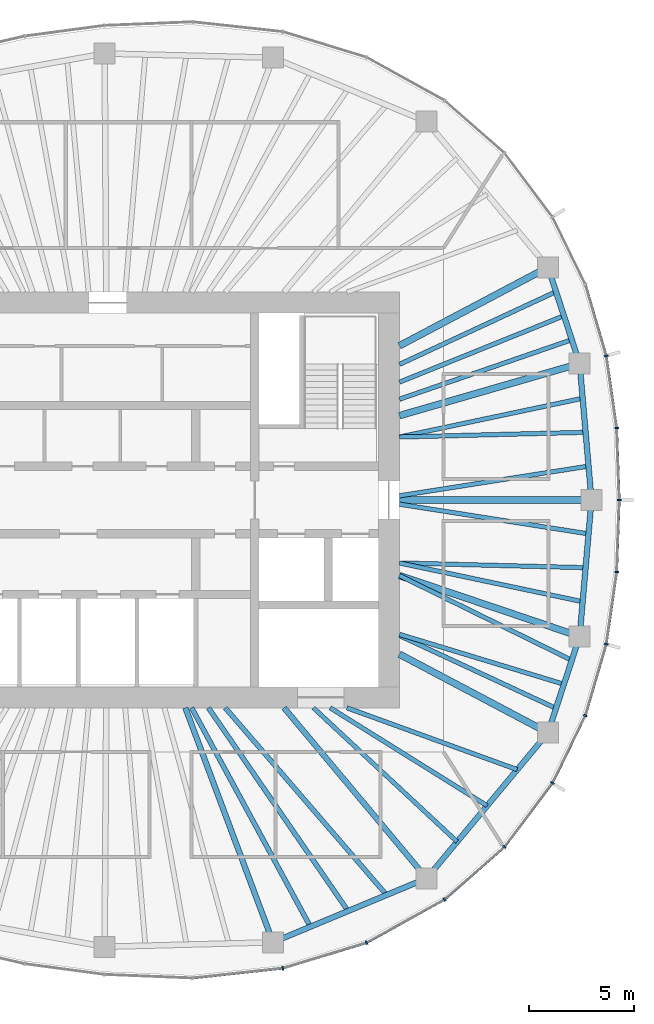
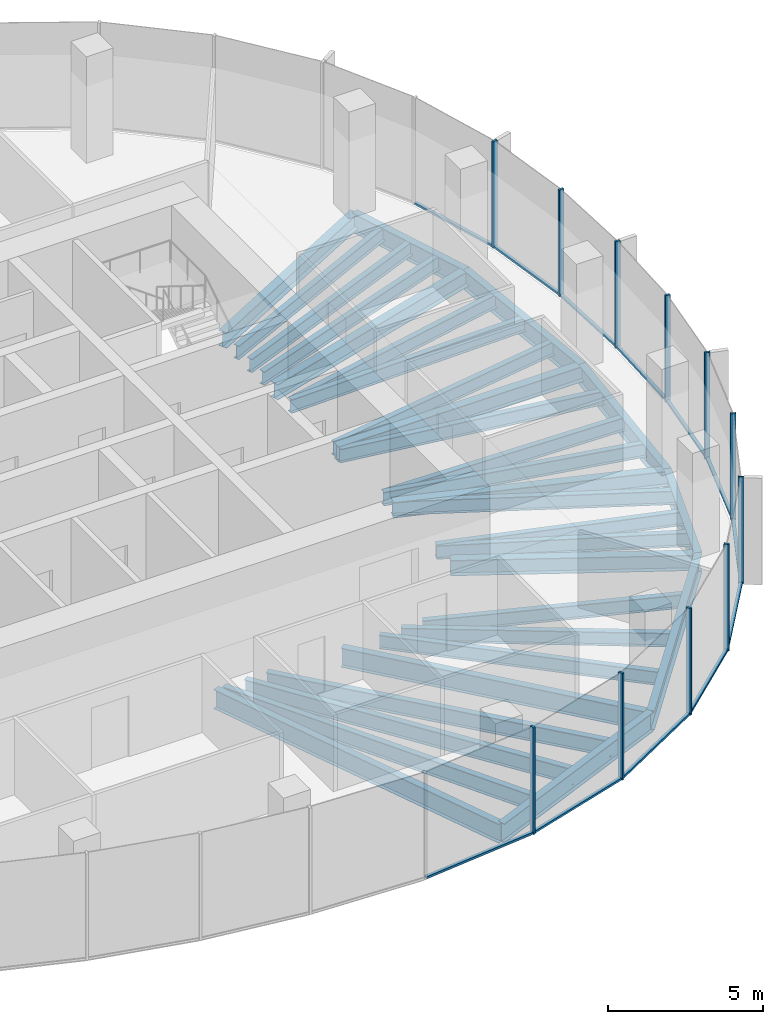
# One storey, part 4 of 11: 31 beams, 23 members, 7 elements without a shape of their own.
"""IFC4 building model written with IfcOpenShell, lengths in metres."""

from ifc_helpers import new_model, si_unit, direction, frame, origin, origin_2d, place, context, subcontext, project, spatial, rectangle, i_section, extrude, material, material_profile, profile_set, type_object, element, aggregate, save


model = new_model("IFC4")

# Units and contexts
model_context = context("Model", 3, precision=1e-05, world=origin(), true_north=direction((0.0, 1.0)))
body_context = subcontext(model_context, "Body", "Model", "MODEL_VIEW")
ifc_project = project(units=[si_unit("LENGTHUNIT", "METRE"), si_unit("AREAUNIT", "SQUARE_METRE"), si_unit("VOLUMEUNIT", "CUBIC_METRE"), si_unit("PLANEANGLEUNIT", "RADIAN"), si_unit("MASSUNIT", "GRAM", prefix="KILO")], contexts=[model_context])

# Site, building, storey
site_placement = place(None, origin())
site = spatial("IfcSite", under=ifc_project, at=site_placement, CompositionType="ELEMENT")
building_placement = place(site_placement, origin())
building = spatial("IfcBuilding", under=site, at=building_placement, Name="Ghaith Harvest Tower", CompositionType="ELEMENT")
storey_placement = place(building_placement, frame((0.0, 0.0, 321.60009765625)))
storey = spatial("IfcBuildingStorey", under=building, at=storey_placement, Name="L72", CompositionType="ELEMENT", Elevation=321.60009765625)

# Curtain wall, members
ifc_material_1 = material(Name="Black anodised aluminium and fritted glass", Category="aluminium")
curtain_wall_type = type_object("IfcCurtainWallType", Name="CW-T CURTAIN WALL", PredefinedType="NOTDEFINED", material=ifc_material_1)
curtain_wall_1_placement = place(storey_placement, origin())
curtain_wall_1 = element("IfcCurtainWall", 1, at=curtain_wall_1_placement, inside=storey, type_object=curtain_wall_type, Name="Curtain wall CW-T bay 01 L72", PredefinedType="NOTDEFINED")
ifc_material_2 = material(Name="Aluminium, black anodised", Category="aluminium")
ifc_material_profile_1 = material_profile(ifc_material_2, rectangle(XDim=0.080078125, YDim=0.179931640625, at=origin_2d()), Name="CW-T MULLION 80x180")
ifc_profile_set_1 = profile_set([ifc_material_profile_1], Name="Aluminium, black anodised")
member_type_1 = type_object("IfcMemberType", Name="CW-T MULLION 80x180", PredefinedType="MULLION", material=ifc_profile_set_1)
member_1_placement = place(storey_placement, frame((24.3701171875, 0.0, 0.0), z_axis=(0.0, 0.0, 1.0), x_axis=(5.2e-11, 1.0, 0.0)))
member_1 = element("IfcMember", 2, at=member_1_placement, type_object=member_type_1, Name="CW-T mullion 1 bay 01 L72", PredefinedType="MULLION", context=body_context, shape_type="SweptSolid", body=[
    extrude(rectangle(XDim=0.080078125, YDim=0.179931640625, at=origin_2d()), origin(), (0.0, 0.0, 1.0), 4.199951171875),
])
member_2_placement = place(storey_placement, frame((24.247802734375, 3.433837890625, 0.0), z_axis=(0.0, 0.0, 1.0), x_axis=(-0.089502202236, 0.995986624305, 0.0)))
member_2 = element("IfcMember", 3, at=member_2_placement, type_object=member_type_1, Name="CW-T mullion 2 bay 01 L72", PredefinedType="MULLION", context=body_context, shape_type="SweptSolid", body=[
    extrude(rectangle(XDim=0.080078125, YDim=0.179931640625, at=origin_2d()), origin(), (0.0, 0.0, 1.0), 4.199951171875),
])

# Curtain wall, member
curtain_wall_2_placement = place(storey_placement, origin())
curtain_wall_2 = element("IfcCurtainWall", 4, at=curtain_wall_2_placement, inside=storey, type_object=curtain_wall_type, Name="Curtain wall CW-T bay 02 L72", PredefinedType="NOTDEFINED")
member_3_placement = place(storey_placement, frame((23.753173828125, 6.865234375, 0.0), z_axis=(0.0, 0.0, 1.0), x_axis=(-0.21340203233, 0.976964468442, 0.0)))
member_3 = element("IfcMember", 5, at=member_3_placement, type_object=member_type_1, Name="CW-T mullion 1 bay 02 L72", PredefinedType="MULLION", context=body_context, shape_type="SweptSolid", body=[
    extrude(rectangle(XDim=0.080078125, YDim=0.179931640625, at=origin_2d()), origin(), (0.0, 0.0, 1.0), 4.199951171875),
])

# Curtain wall, members
curtain_wall_3_placement = place(storey_placement, origin())
curtain_wall_3 = element("IfcCurtainWall", 6, at=curtain_wall_3_placement, inside=storey, type_object=curtain_wall_type, Name="Curtain wall CW-T bay 17 L72", PredefinedType="NOTDEFINED")
member_4_placement = place(storey_placement, frame((8.33984375, -22.308837890625, 0.0), z_axis=(0.0, 0.0, 1.0), x_axis=(0.980000193265, 0.198996535647, 0.0)))
member_4 = element("IfcMember", 7, at=member_4_placement, type_object=member_type_1, Name="CW-T mullion 1 bay 17 L72", PredefinedType="MULLION", context=body_context, shape_type="SweptSolid", body=[
    extrude(rectangle(XDim=0.080078125, YDim=0.179931640625, at=origin_2d()), origin(), (0.0, 0.0, 1.0), 4.199951171875),
])
member_5_placement = place(storey_placement, frame((12.334228515625, -21.091796875, 0.0), z_axis=(0.0, 0.0, 1.0), x_axis=(0.920319269335, 0.391168048914, 0.0)))
member_5 = element("IfcMember", 8, at=member_5_placement, type_object=member_type_1, Name="CW-T mullion 2 bay 17 L72", PredefinedType="MULLION", context=body_context, shape_type="SweptSolid", body=[
    extrude(rectangle(XDim=0.080078125, YDim=0.179931640625, at=origin_2d()), origin(), (0.0, 0.0, 1.0), 4.199951171875),
])

curtain_wall_4_placement = place(storey_placement, origin())
curtain_wall_4 = element("IfcCurtainWall", 9, at=curtain_wall_4_placement, inside=storey, type_object=curtain_wall_type, Name="Curtain wall CW-T bay 18 L72", PredefinedType="NOTDEFINED")
member_6_placement = place(storey_placement, frame((16.04931640625, -19.031982421875, 0.0), z_axis=(0.0, 0.0, 1.0), x_axis=(0.821112053644, 0.570767023715, 0.0)))
member_6 = element("IfcMember", 10, at=member_6_placement, type_object=member_type_1, Name="CW-T mullion 1 bay 18 L72", PredefinedType="MULLION", context=body_context, shape_type="SweptSolid", body=[
    extrude(rectangle(XDim=0.080078125, YDim=0.179931640625, at=origin_2d()), origin(), (0.0, 0.0, 1.0), 4.199951171875),
])
member_7_placement = place(storey_placement, frame((18.901123046875, -16.527099609375, 0.0), z_axis=(0.0, 0.0, 1.0), x_axis=(0.679660897254, 0.733526458108, 0.0)))
member_7 = element("IfcMember", 11, at=member_7_placement, type_object=member_type_1, Name="CW-T mullion 2 bay 18 L72", PredefinedType="MULLION", context=body_context, shape_type="SweptSolid", body=[
    extrude(rectangle(XDim=0.080078125, YDim=0.179931640625, at=origin_2d()), origin(), (0.0, 0.0, 1.0), 4.199951171875),
])

curtain_wall_5_placement = place(storey_placement, origin())
curtain_wall_5 = element("IfcCurtainWall", 12, at=curtain_wall_5_placement, inside=storey, type_object=curtain_wall_type, Name="Curtain wall CW-T bay 19 L72", PredefinedType="NOTDEFINED")
member_8_placement = place(storey_placement, frame((21.18896484375, -13.48486328125, 0.0), z_axis=(0.0, 0.0, 1.0), x_axis=(0.524482238715, 0.85142138878, 0.0)))
member_8 = element("IfcMember", 13, at=member_8_placement, type_object=member_type_1, Name="CW-T mullion 1 bay 19 L72", PredefinedType="MULLION", context=body_context, shape_type="SweptSolid", body=[
    extrude(rectangle(XDim=0.080078125, YDim=0.179931640625, at=origin_2d()), origin(), (0.0, 0.0, 1.0), 4.199951171875),
])
member_9_placement = place(storey_placement, frame((22.754150390625, -10.272216796875, 0.0), z_axis=(0.0, 0.0, 1.0), x_axis=(0.361184273904, 0.932494461262, 0.0)))
member_9 = element("IfcMember", 14, at=member_9_placement, type_object=member_type_1, Name="CW-T mullion 2 bay 19 L72", PredefinedType="MULLION", context=body_context, shape_type="SweptSolid", body=[
    extrude(rectangle(XDim=0.080078125, YDim=0.179931640625, at=origin_2d()), origin(), (0.0, 0.0, 1.0), 4.199951171875),
])

curtain_wall_6_placement = place(storey_placement, origin())
curtain_wall_6 = element("IfcCurtainWall", 15, at=curtain_wall_6_placement, inside=storey, type_object=curtain_wall_type, Name="Curtain wall CW-T bay 20 L72", PredefinedType="NOTDEFINED")
member_10_placement = place(storey_placement, frame((23.753173828125, -6.865234375, 0.0), z_axis=(0.0, 0.0, 1.0), x_axis=(0.213402032501, 0.976964468404, 0.0)))
member_10 = element("IfcMember", 16, at=member_10_placement, type_object=member_type_1, Name="CW-T mullion 1 bay 20 L72", PredefinedType="MULLION", context=body_context, shape_type="SweptSolid", body=[
    extrude(rectangle(XDim=0.080078125, YDim=0.179931640625, at=origin_2d()), origin(), (0.0, 0.0, 1.0), 4.199951171875),
])
member_11_placement = place(storey_placement, frame((24.247802734375, -3.433837890625, 0.0), z_axis=(0.0, 0.0, 1.0), x_axis=(0.089502202305, 0.995986624299, 0.0)))
member_11 = element("IfcMember", 17, at=member_11_placement, type_object=member_type_1, Name="CW-T mullion 2 bay 20 L72", PredefinedType="MULLION", context=body_context, shape_type="SweptSolid", body=[
    extrude(rectangle(XDim=0.080078125, YDim=0.179931640625, at=origin_2d()), origin(), (0.0, 0.0, 1.0), 4.199951171875),
])

# Member
ifc_material_3 = material(Name="Aluminium, black anodised", Category="aluminium")
ifc_material_profile_2 = material_profile(ifc_material_3, rectangle(XDim=0.1201171875, YDim=0.080078125, at=origin_2d()), Name="CW-T TRANSOM 120x80")
ifc_profile_set_2 = profile_set([ifc_material_profile_2], Name="Aluminium, black anodised")
member_type_2 = type_object("IfcMemberType", Name="CW-T TRANSOM 120x80", PredefinedType="USERDEFINED", material=ifc_profile_set_2)
member_12_placement = place(storey_placement, frame((24.36865234375, 0.0400390625, 0.039794921875), z_axis=(-0.035574759537, 0.999367017909, 0.0), x_axis=(-0.999367017909, -0.035574759537, 0.0)))
member_12 = element("IfcMember", 18, at=member_12_placement, type_object=member_type_2, Name="CW-T transom 1 bay 01 L72", ObjectType="TRANSOM", PredefinedType="USERDEFINED", context=body_context, shape_type="SweptSolid", body=[
    extrude(rectangle(XDim=0.1201171875, YDim=0.080078125, at=origin_2d()), origin(), (0.0, 0.0, 1.0), 3.35595703125),
])

member_13_placement = place(storey_placement, frame((24.2421875, 3.473388671875, 0.039794921875), z_axis=(-0.142733224301, 0.989761196795, 0.0), x_axis=(-0.989761196795, -0.142733224301, 0.0)))
member_13 = element("IfcMember", 19, at=member_13_placement, type_object=member_type_2, Name="CW-T transom 2 bay 01 L72", ObjectType="TRANSOM", PredefinedType="USERDEFINED", context=body_context, shape_type="SweptSolid", body=[
    extrude(rectangle(XDim=0.1201171875, YDim=0.080078125, at=origin_2d()), origin(), (0.0, 0.0, 1.0), 3.38671875),
])

aggregate(curtain_wall_1, [member_1, member_12, member_2, member_13])

member_14_placement = place(storey_placement, frame((23.741943359375, 6.903564453125, 0.039794921875), z_axis=(-0.281385475469, 0.95959481772, 0.0), x_axis=(-0.95959481772, -0.281385475469, 0.0)))
member_14 = element("IfcMember", 20, at=member_14_placement, type_object=member_type_2, Name="CW-T transom 1 bay 02 L72", ObjectType="TRANSOM", PredefinedType="USERDEFINED", context=body_context, shape_type="SweptSolid", body=[
    extrude(rectangle(XDim=0.1201171875, YDim=0.080078125, at=origin_2d()), origin(), (0.0, 0.0, 1.0), 3.470458984375),
])

aggregate(curtain_wall_2, [member_3, member_14])

# Curtain wall, member
curtain_wall_7_placement = place(storey_placement, origin())
curtain_wall_7 = element("IfcCurtainWall", 21, at=curtain_wall_7_placement, inside=storey, type_object=curtain_wall_type, Name="Curtain wall CW-T bay 16 L72", PredefinedType="NOTDEFINED")
member_15_placement = place(storey_placement, frame((4.077392578125, -22.772216796875, 0.039794921875), z_axis=(0.994144463069, 0.108059180768, 0.0), x_axis=(-0.108059180768, 0.994144463069, 0.0)))
member_15 = element("IfcMember", 22, at=member_15_placement, type_object=member_type_2, Name="CW-T transom 2 bay 16 L72", ObjectType="TRANSOM", PredefinedType="USERDEFINED", context=body_context, shape_type="SweptSolid", body=[
    extrude(rectangle(XDim=0.1201171875, YDim=0.080078125, at=origin_2d()), origin(), (0.0, 0.0, 1.0), 4.24755859375),
])
aggregate(curtain_wall_7, [member_15])

# Member
member_16_placement = place(storey_placement, frame((8.378173828125, -22.297119140625, 0.039794921875), z_axis=(0.956593713342, 0.291424891858, 0.0), x_axis=(-0.291424891858, 0.956593713342, 0.0)))
member_16 = element("IfcMember", 23, at=member_16_placement, type_object=member_type_2, Name="CW-T transom 1 bay 17 L72", ObjectType="TRANSOM", PredefinedType="USERDEFINED", context=body_context, shape_type="SweptSolid", body=[
    extrude(rectangle(XDim=0.1201171875, YDim=0.080078125, at=origin_2d()), origin(), (0.0, 0.0, 1.0), 4.095703125),
])

member_17_placement = place(storey_placement, frame((12.369384765625, -21.072509765625, 0.039794921875), z_axis=(0.874552130553, 0.484931511603, 0.0), x_axis=(-0.484931511603, 0.874552130553, 0.0)))
member_17 = element("IfcMember", 24, at=member_17_placement, type_object=member_type_2, Name="CW-T transom 2 bay 17 L72", ObjectType="TRANSOM", PredefinedType="USERDEFINED", context=body_context, shape_type="SweptSolid", body=[
    extrude(rectangle(XDim=0.1201171875, YDim=0.080078125, at=origin_2d()), origin(), (0.0, 0.0, 1.0), 4.16748046875),
])

aggregate(curtain_wall_3, [member_4, member_16, member_5, member_17])

member_18_placement = place(storey_placement, frame((16.079345703125, -19.005615234375, 0.039794921875), z_axis=(0.751325799984, 0.659931467865, 0.0), x_axis=(-0.659931467865, 0.751325799984, 0.0)))
member_18 = element("IfcMember", 25, at=member_18_placement, type_object=member_type_2, Name="CW-T transom 1 bay 18 L72", ObjectType="TRANSOM", PredefinedType="USERDEFINED", context=body_context, shape_type="SweptSolid", body=[
    extrude(rectangle(XDim=0.1201171875, YDim=0.080078125, at=origin_2d()), origin(), (0.0, 0.0, 1.0), 3.7158203125),
])

member_19_placement = place(storey_placement, frame((18.925048828125, -16.4951171875, 0.039794921875), z_axis=(0.601079103045, 0.799189534392, 0.0), x_axis=(-0.799189534392, 0.601079103045, 0.0)))
member_19 = element("IfcMember", 26, at=member_19_placement, type_object=member_type_2, Name="CW-T transom 2 bay 18 L72", ObjectType="TRANSOM", PredefinedType="USERDEFINED", context=body_context, shape_type="SweptSolid", body=[
    extrude(rectangle(XDim=0.1201171875, YDim=0.080078125, at=origin_2d()), origin(), (0.0, 0.0, 1.0), 3.7265625),
])

aggregate(curtain_wall_4, [member_6, member_18, member_7, member_19])

member_20_placement = place(storey_placement, frame((21.20654296875, -13.448974609375, 0.039794921875), z_axis=(0.437965078712, 0.898991985408, 0.0), x_axis=(-0.898991985408, 0.437965078712, 0.0)))
member_20 = element("IfcMember", 27, at=member_20_placement, type_object=member_type_2, Name="CW-T transom 1 bay 19 L72", ObjectType="TRANSOM", PredefinedType="USERDEFINED", context=body_context, shape_type="SweptSolid", body=[
    extrude(rectangle(XDim=0.1201171875, YDim=0.080078125, at=origin_2d()), origin(), (0.0, 0.0, 1.0), 3.493408203125),
])

member_21_placement = place(storey_placement, frame((22.765380859375, -10.23388671875, 0.039794921875), z_axis=(0.281385475469, 0.95959481772, 0.0), x_axis=(-0.95959481772, 0.281385475469, 0.0)))
member_21 = element("IfcMember", 28, at=member_21_placement, type_object=member_type_2, Name="CW-T transom 2 bay 19 L72", ObjectType="TRANSOM", PredefinedType="USERDEFINED", context=body_context, shape_type="SweptSolid", body=[
    extrude(rectangle(XDim=0.1201171875, YDim=0.080078125, at=origin_2d()), origin(), (0.0, 0.0, 1.0), 3.470458984375),
])

aggregate(curtain_wall_5, [member_8, member_20, member_9, member_21])

member_22_placement = place(storey_placement, frame((23.7587890625, -6.825439453125, 0.039794921875), z_axis=(0.142733224301, 0.989761196795, 0.0), x_axis=(-0.989761196795, 0.142733224301, 0.0)))
member_22 = element("IfcMember", 29, at=member_22_placement, type_object=member_type_2, Name="CW-T transom 1 bay 20 L72", ObjectType="TRANSOM", PredefinedType="USERDEFINED", context=body_context, shape_type="SweptSolid", body=[
    extrude(rectangle(XDim=0.1201171875, YDim=0.080078125, at=origin_2d()), origin(), (0.0, 0.0, 1.0), 3.38671875),
])

member_23_placement = place(storey_placement, frame((24.249267578125, -3.393798828125, 0.039794921875), z_axis=(0.035574759537, 0.999367017909, 0.0), x_axis=(-0.999367017909, 0.035574759537, 0.0)))
member_23 = element("IfcMember", 30, at=member_23_placement, type_object=member_type_2, Name="CW-T transom 2 bay 20 L72", ObjectType="TRANSOM", PredefinedType="USERDEFINED", context=body_context, shape_type="SweptSolid", body=[
    extrude(rectangle(XDim=0.1201171875, YDim=0.080078125, at=origin_2d()), origin(), (0.0, 0.0, 1.0), 3.35595703125),
])

aggregate(curtain_wall_6, [member_10, member_22, member_11, member_23])

# Beams
ifc_material_4 = material(Name="Steel ASTM A992 Grade 50", Category="steel")
ifc_material_profile_3 = material_profile(ifc_material_4, i_section(OverallWidth=0.26611328125, OverallDepth=0.758056640625, WebThickness=0.013916015625, FlangeThickness=0.019287109375, at=origin_2d()), Name="W760X161")
ifc_profile_set_3 = profile_set([ifc_material_profile_3], Name="Steel ASTM A992 Grade 50")
beam_type_1 = type_object("IfcBeamType", Name="E760-161 W760X161", PredefinedType="SPANDREL", material=ifc_profile_set_3)
beam_1_placement = place(storey_placement, frame((23.050048828125, 0.0, -0.549072265625), z_axis=(-0.086600547306, 0.996243115513, 0.0), x_axis=(-0.996243115513, -0.086600547306, 0.0)))
element("IfcBeam", 31, at=beam_1_placement, inside=storey, type_object=beam_type_1, Name="Edge beam E01 L72", PredefinedType="SPANDREL", context=body_context, shape_type="SweptSolid", body=[
    extrude(i_section(OverallWidth=0.26611328125, OverallDepth=0.758056640625, WebThickness=0.013916015625, FlangeThickness=0.019287109375, at=origin_2d()), origin(), (0.0, 0.0, 1.0), 6.5234375),
])
beam_2_placement = place(storey_placement, frame((22.485107421875, 6.4990234375, -0.549072265625), z_axis=(-0.312206727278, 0.950014189074, 0.0), x_axis=(-0.950014189074, -0.312206727278, 0.0)))
element("IfcBeam", 32, at=beam_2_placement, inside=storey, type_object=beam_type_1, Name="Edge beam E02 L72", PredefinedType="SPANDREL", context=body_context, shape_type="SweptSolid", body=[
    extrude(i_section(OverallWidth=0.26611328125, OverallDepth=0.758056640625, WebThickness=0.013916015625, FlangeThickness=0.019287109375, at=origin_2d()), origin(), (0.0, 0.0, 1.0), 4.830322265625),
])
beam_3_placement = place(storey_placement, frame((7.8779296875, -21.072021484375, -0.549072265625), z_axis=(0.923119729219, 0.384512633766, 0.0), x_axis=(-0.384512633766, 0.923119729219, 0.0)))
element("IfcBeam", 33, at=beam_3_placement, inside=storey, type_object=beam_type_1, Name="Edge beam E17 L72", PredefinedType="SPANDREL", context=body_context, shape_type="SweptSolid", body=[
    extrude(i_section(OverallWidth=0.26611328125, OverallDepth=0.758056640625, WebThickness=0.013916015625, FlangeThickness=0.019287109375, at=origin_2d()), origin(), (0.0, 0.0, 1.0), 7.9296875),
])
beam_4_placement = place(storey_placement, frame((15.197998046875, -18.02294921875, -0.549072265625), z_axis=(0.640173759088, 0.76823014662, 0.0), x_axis=(-0.76823014662, 0.640173759088, 0.0)))
element("IfcBeam", 34, at=beam_4_placement, inside=storey, type_object=beam_type_1, Name="Edge beam E18 L72", PredefinedType="SPANDREL", context=body_context, shape_type="SweptSolid", body=[
    extrude(i_section(OverallWidth=0.26611328125, OverallDepth=0.758056640625, WebThickness=0.013916015625, FlangeThickness=0.019287109375, at=origin_2d()), origin(), (0.0, 0.0, 1.0), 9.02734375),
])
beam_5_placement = place(storey_placement, frame((20.97705078125, -11.087890625, -0.549072265625), z_axis=(0.312206727278, 0.950014189074, 0.0), x_axis=(-0.950014189074, 0.312206727278, 0.0)))
element("IfcBeam", 35, at=beam_5_placement, inside=storey, type_object=beam_type_1, Name="Edge beam E19 L72", PredefinedType="SPANDREL", context=body_context, shape_type="SweptSolid", body=[
    extrude(i_section(OverallWidth=0.26611328125, OverallDepth=0.758056640625, WebThickness=0.013916015625, FlangeThickness=0.019287109375, at=origin_2d()), origin(), (0.0, 0.0, 1.0), 4.830322265625),
])
beam_6_placement = place(storey_placement, frame((22.485107421875, -6.4990234375, -0.549072265625), z_axis=(0.086600547306, 0.996243115513, 0.0), x_axis=(-0.996243115513, 0.086600547306, 0.0)))
element("IfcBeam", 36, at=beam_6_placement, inside=storey, type_object=beam_type_1, Name="Edge beam E20 L72", PredefinedType="SPANDREL", context=body_context, shape_type="SweptSolid", body=[
    extrude(i_section(OverallWidth=0.26611328125, OverallDepth=0.758056640625, WebThickness=0.013916015625, FlangeThickness=0.019287109375, at=origin_2d()), origin(), (0.0, 0.0, 1.0), 6.5234375),
])
ifc_material_5 = material(Name="Steel ASTM A992 Grade 50", Category="steel")
ifc_material_profile_4 = material_profile(ifc_material_5, i_section(OverallWidth=0.323974609375, OverallDepth=0.611083984375, WebThickness=0.0126953125, FlangeThickness=0.01904296875, at=origin_2d()), Name="W610X155")
ifc_profile_set_4 = profile_set([ifc_material_profile_4], Name="Steel ASTM A992 Grade 50")
beam_type_2 = type_object("IfcBeamType", Name="G610-155 W610X155", PredefinedType="BEAM", material=ifc_profile_set_4)
beam_7_placement = place(storey_placement, frame((13.89990234375, 0.0, -0.4755859375), z_axis=(1.0, 0.0, 0.0), x_axis=(0.0, 1.0, 0.0)))
element("IfcBeam", 37, at=beam_7_placement, inside=storey, type_object=beam_type_2, Name="Radial girder G01 L72", PredefinedType="BEAM", context=body_context, shape_type="SweptSolid", body=[
    extrude(i_section(OverallWidth=0.323974609375, OverallDepth=0.611083984375, WebThickness=0.0126953125, FlangeThickness=0.01904296875, at=origin_2d()), origin(), (0.0, 0.0, 1.0), 9.150146484375),
])
beam_8_placement = place(storey_placement, frame((13.89990234375, 4.017333984375, -0.4755859375), z_axis=(0.960668846071, 0.27769653975, 0.0), x_axis=(-0.27769653975, 0.960668846071, 0.0)))
element("IfcBeam", 38, at=beam_8_placement, inside=storey, type_object=beam_type_2, Name="Radial girder G02 L72", PredefinedType="BEAM", context=body_context, shape_type="SweptSolid", body=[
    extrude(i_section(OverallWidth=0.323974609375, OverallDepth=0.611083984375, WebThickness=0.0126953125, FlangeThickness=0.01904296875, at=origin_2d()), origin(), (0.0, 0.0, 1.0), 8.936767578125),
])
for number, where, z_axis, x_axis, name in (
    (39, (13.89990234375, 7.34716796875, -0.4755859375), (0.884097820364, 0.467301876764, 0.0), (-0.467301876764, 0.884097820364, 0.0), "Radial girder G03 L72"),
    (40, (13.89990234375, -7.34716796875, -0.4755859375), (0.884097820364, -0.467301876764, 0.0), (0.467301876764, 0.884097820364, 0.0), "Radial girder G19 L72"),
):
    element("IfcBeam", number, at=place(storey_placement, frame(where, z_axis=z_axis, x_axis=x_axis)), inside=storey, type_object=beam_type_2, Name=name, PredefinedType="BEAM", context=body_context, shape_type="SweptSolid", body=[
        extrude(i_section(OverallWidth=0.323974609375, OverallDepth=0.611083984375, WebThickness=0.0126953125, FlangeThickness=0.01904296875, at=origin_2d()), origin(), (0.0, 0.0, 1.0), 8.0048828125),
    ])
beam_9_placement = place(storey_placement, frame((13.89990234375, -3.60009765625, -0.4755859375), z_axis=(0.947444819082, -0.319919231673, 0.0), x_axis=(0.319919231673, 0.947444819082, 0.0)))
element("IfcBeam", 41, at=beam_9_placement, inside=storey, type_object=beam_type_2, Name="Radial girder G20 L72", PredefinedType="BEAM", context=body_context, shape_type="SweptSolid", body=[
    extrude(i_section(OverallWidth=0.323974609375, OverallDepth=0.611083984375, WebThickness=0.0126953125, FlangeThickness=0.01904296875, at=origin_2d()), origin(), (0.0, 0.0, 1.0), 9.0615234375),
])
ifc_material_6 = material(Name="Steel ASTM A992 Grade 50", Category="steel")
ifc_material_profile_5 = material_profile(ifc_material_6, i_section(OverallWidth=0.26611328125, OverallDepth=0.758056640625, WebThickness=0.013916015625, FlangeThickness=0.019287109375, at=origin_2d()), Name="W760X161")
ifc_profile_set_5 = profile_set([ifc_material_profile_5], Name="Steel ASTM A992 Grade 50")
beam_type_3 = type_object("IfcBeamType", Name="G760-161 W760X161", PredefinedType="BEAM", material=ifc_profile_set_5)
beam_10_placement = place(storey_placement, frame((3.700927734375, -9.89990234375, -0.549072265625), z_axis=(0.350201332531, -0.936674450753, 0.0), x_axis=(0.936674450753, 0.350201332531, 0.0)))
element("IfcBeam", 42, at=beam_10_placement, inside=storey, type_object=beam_type_3, Name="Radial girder G17 L72", PredefinedType="BEAM", context=body_context, shape_type="SweptSolid", body=[
    extrude(i_section(OverallWidth=0.26611328125, OverallDepth=0.758056640625, WebThickness=0.013916015625, FlangeThickness=0.019287109375, at=origin_2d()), origin(), (0.0, 0.0, 1.0), 11.927490234375),
])
beam_11_placement = place(storey_placement, frame((8.39990234375, -9.89990234375, -0.549072265625), z_axis=(0.641792628883, -0.766878231215, 0.0), x_axis=(0.766878231215, 0.641792628883, 0.0)))
element("IfcBeam", 43, at=beam_11_placement, inside=storey, type_object=beam_type_3, Name="Radial girder G18 L72", PredefinedType="BEAM", context=body_context, shape_type="SweptSolid", body=[
    extrude(i_section(OverallWidth=0.26611328125, OverallDepth=0.758056640625, WebThickness=0.013916015625, FlangeThickness=0.019287109375, at=origin_2d()), origin(), (0.0, 0.0, 1.0), 10.59228515625),
])
ifc_material_7 = material(Name="Steel ASTM A992 Grade 50", Category="steel")
ifc_material_profile_6 = material_profile(ifc_material_7, i_section(OverallWidth=0.2109375, OverallDepth=0.5390625, WebThickness=0.01171875, FlangeThickness=0.018798828125, at=origin_2d()), Name="W530X109")
ifc_profile_set_6 = profile_set([ifc_material_profile_6], Name="Steel ASTM A992 Grade 50")
beam_type_4 = type_object("IfcBeamType", Name="J530-109 W530X109", PredefinedType="JOIST", material=ifc_profile_set_6)
beam_12_placement = place(storey_placement, frame((13.89990234375, 0.199951171875, -0.439697265625), z_axis=(0.987906665526, 0.155049734628, 0.0), x_axis=(-0.155049734628, 0.987906665526, 0.0)))
element("IfcBeam", 44, at=beam_12_placement, inside=storey, type_object=beam_type_4, Name="Joist J01.1 L72", PredefinedType="JOIST", context=body_context, shape_type="SweptSolid", body=[
    extrude(i_section(OverallWidth=0.2109375, OverallDepth=0.5390625, WebThickness=0.01171875, FlangeThickness=0.018798828125, at=origin_2d()), origin(), (0.0, 0.0, 1.0), 9.1201171875),
])
beam_13_placement = place(storey_placement, frame((13.89990234375, 3.0, -0.439697265625), z_axis=(0.999679533859, 0.025314612071, 0.0), x_axis=(-0.025314612071, 0.999679533859, 0.0)))
element("IfcBeam", 45, at=beam_13_placement, inside=storey, type_object=beam_type_4, Name="Joist J01.2 L72", PredefinedType="JOIST", context=body_context, shape_type="SweptSolid", body=[
    extrude(i_section(OverallWidth=0.2109375, OverallDepth=0.5390625, WebThickness=0.01171875, FlangeThickness=0.018798828125, at=origin_2d()), origin(), (0.0, 0.0, 1.0), 8.872802734375),
])
beam_14_placement = place(storey_placement, frame((13.89990234375, 3.0, -0.439697265625), z_axis=(0.97833382446, 0.207033639579, 0.0), x_axis=(-0.207033639579, 0.97833382446, 0.0)))
element("IfcBeam", 46, at=beam_14_placement, inside=storey, type_object=beam_type_4, Name="Joist J01.3 L72", PredefinedType="JOIST", context=body_context, shape_type="SweptSolid", body=[
    extrude(i_section(OverallWidth=0.2109375, OverallDepth=0.5390625, WebThickness=0.01171875, FlangeThickness=0.018798828125, at=origin_2d()), origin(), (0.0, 0.0, 1.0), 8.922119140625),
])
beam_15_placement = place(storey_placement, frame((13.89990234375, 4.801025390625, -0.439697265625), z_axis=(0.945204712775, 0.326478254937, 0.0), x_axis=(-0.326478254937, 0.945204712775, 0.0)))
element("IfcBeam", 47, at=beam_15_placement, inside=storey, type_object=beam_type_4, Name="Joist J02.1 L72", PredefinedType="JOIST", context=body_context, shape_type="SweptSolid", body=[
    extrude(i_section(OverallWidth=0.2109375, OverallDepth=0.5390625, WebThickness=0.01171875, FlangeThickness=0.018798828125, at=origin_2d()), origin(), (0.0, 0.0, 1.0), 8.687255859375),
])
beam_16_placement = place(storey_placement, frame((13.89990234375, 5.61328125, -0.439697265625), z_axis=(0.927254375113, 0.374432001615, 0.0), x_axis=(-0.374432001615, 0.927254375113, 0.0)))
element("IfcBeam", 48, at=beam_16_placement, inside=storey, type_object=beam_type_4, Name="Joist J02.2 L72", PredefinedType="JOIST", context=body_context, shape_type="SweptSolid", body=[
    extrude(i_section(OverallWidth=0.2109375, OverallDepth=0.5390625, WebThickness=0.01171875, FlangeThickness=0.018798828125, at=origin_2d()), origin(), (0.0, 0.0, 1.0), 8.450927734375),
])
beam_17_placement = place(storey_placement, frame((13.89990234375, 6.45947265625, -0.439697265625), z_axis=(0.906859906661, 0.42143221245, 0.0), x_axis=(-0.42143221245, 0.906859906661, 0.0)))
element("IfcBeam", 49, at=beam_17_placement, inside=storey, type_object=beam_type_4, Name="Joist J02.3 L72", PredefinedType="JOIST", context=body_context, shape_type="SweptSolid", body=[
    extrude(i_section(OverallWidth=0.2109375, OverallDepth=0.5390625, WebThickness=0.01171875, FlangeThickness=0.018798828125, at=origin_2d()), origin(), (0.0, 0.0, 1.0), 8.22509765625),
])
beam_18_placement = place(storey_placement, frame((9.800048828125, -9.89990234375, -0.439697265625), z_axis=(0.73164904944, -0.681681500742, 0.0), x_axis=(0.681681500742, 0.73164904944, 0.0)))
element("IfcBeam", 50, at=beam_18_placement, inside=storey, type_object=beam_type_4, Name="Joist J18.1 L72", PredefinedType="JOIST", context=body_context, shape_type="SweptSolid", body=[
    extrude(i_section(OverallWidth=0.2109375, OverallDepth=0.5390625, WebThickness=0.01171875, FlangeThickness=0.018798828125, at=origin_2d()), origin(), (0.0, 0.0, 1.0), 9.361572265625),
])
beam_19_placement = place(storey_placement, frame((10.60009765625, -9.89990234375, -0.439697265625), z_axis=(0.84837619421, -0.52939383553, 0.0), x_axis=(0.52939383553, 0.84837619421, 0.0)))
element("IfcBeam", 51, at=beam_19_placement, inside=storey, type_object=beam_type_4, Name="Joist J18.2 L72", PredefinedType="JOIST", context=body_context, shape_type="SweptSolid", body=[
    extrude(i_section(OverallWidth=0.2109375, OverallDepth=0.5390625, WebThickness=0.01171875, FlangeThickness=0.018798828125, at=origin_2d()), origin(), (0.0, 0.0, 1.0), 8.814697265625),
])
beam_20_placement = place(storey_placement, frame((11.39990234375, -9.89990234375, -0.439697265625), z_axis=(0.939925501564, -0.341379629605, 0.0), x_axis=(0.341379629605, 0.939925501564, 0.0)))
element("IfcBeam", 52, at=beam_20_placement, inside=storey, type_object=beam_type_4, Name="Joist J18.3 L72", PredefinedType="JOIST", context=body_context, shape_type="SweptSolid", body=[
    extrude(i_section(OverallWidth=0.2109375, OverallDepth=0.5390625, WebThickness=0.01171875, FlangeThickness=0.018798828125, at=origin_2d()), origin(), (0.0, 0.0, 1.0), 8.630615234375),
])
beam_21_placement = place(storey_placement, frame((13.89990234375, -6.45947265625, -0.439697265625), z_axis=(0.906859906661, -0.42143221245, 0.0), x_axis=(0.42143221245, 0.906859906661, 0.0)))
element("IfcBeam", 53, at=beam_21_placement, inside=storey, type_object=beam_type_4, Name="Joist J19.1 L72", PredefinedType="JOIST", context=body_context, shape_type="SweptSolid", body=[
    extrude(i_section(OverallWidth=0.2109375, OverallDepth=0.5390625, WebThickness=0.01171875, FlangeThickness=0.018798828125, at=origin_2d()), origin(), (0.0, 0.0, 1.0), 8.22509765625),
])
beam_22_placement = place(storey_placement, frame((13.89990234375, -6.39990234375, -0.439697265625), z_axis=(0.9569197823, -0.290352424208, 0.0), x_axis=(0.290352424208, 0.9569197823, 0.0)))
element("IfcBeam", 54, at=beam_22_placement, inside=storey, type_object=beam_type_4, Name="Joist J19.2 L72", PredefinedType="JOIST", context=body_context, shape_type="SweptSolid", body=[
    extrude(i_section(OverallWidth=0.2109375, OverallDepth=0.5390625, WebThickness=0.01171875, FlangeThickness=0.018798828125, at=origin_2d()), origin(), (0.0, 0.0, 1.0), 8.18896484375),
])
beam_23_placement = place(storey_placement, frame((13.89990234375, -3.60009765625, -0.439697265625), z_axis=(0.89740088778, -0.441216099674, 0.0), x_axis=(0.441216099674, 0.89740088778, 0.0)))
element("IfcBeam", 55, at=beam_23_placement, inside=storey, type_object=beam_type_4, Name="Joist J19.3 L72", PredefinedType="JOIST", context=body_context, shape_type="SweptSolid", body=[
    extrude(i_section(OverallWidth=0.2109375, OverallDepth=0.5390625, WebThickness=0.01171875, FlangeThickness=0.018798828125, at=origin_2d()), origin(), (0.0, 0.0, 1.0), 9.14990234375),
])
beam_24_placement = place(storey_placement, frame((13.89990234375, -3.0, -0.439697265625), z_axis=(0.97833382446, -0.207033639579, 0.0), x_axis=(0.207033639579, 0.97833382446, 0.0)))
element("IfcBeam", 56, at=beam_24_placement, inside=storey, type_object=beam_type_4, Name="Joist J20.1 L72", PredefinedType="JOIST", context=body_context, shape_type="SweptSolid", body=[
    extrude(i_section(OverallWidth=0.2109375, OverallDepth=0.5390625, WebThickness=0.01171875, FlangeThickness=0.018798828125, at=origin_2d()), origin(), (0.0, 0.0, 1.0), 8.922119140625),
])
beam_25_placement = place(storey_placement, frame((13.89990234375, -3.0, -0.439697265625), z_axis=(0.999679533859, -0.025314612071, 0.0), x_axis=(0.025314612071, 0.999679533859, 0.0)))
element("IfcBeam", 57, at=beam_25_placement, inside=storey, type_object=beam_type_4, Name="Joist J20.2 L72", PredefinedType="JOIST", context=body_context, shape_type="SweptSolid", body=[
    extrude(i_section(OverallWidth=0.2109375, OverallDepth=0.5390625, WebThickness=0.01171875, FlangeThickness=0.018798828125, at=origin_2d()), origin(), (0.0, 0.0, 1.0), 8.872802734375),
])
beam_26_placement = place(storey_placement, frame((13.89990234375, -0.199951171875, -0.439697265625), z_axis=(0.987906665526, -0.155049734628, 0.0), x_axis=(0.155049734628, 0.987906665526, 0.0)))
element("IfcBeam", 58, at=beam_26_placement, inside=storey, type_object=beam_type_4, Name="Joist J20.3 L72", PredefinedType="JOIST", context=body_context, shape_type="SweptSolid", body=[
    extrude(i_section(OverallWidth=0.2109375, OverallDepth=0.5390625, WebThickness=0.01171875, FlangeThickness=0.018798828125, at=origin_2d()), origin(), (0.0, 0.0, 1.0), 9.1201171875),
])
ifc_material_8 = material(Name="Steel ASTM A992 Grade 50", Category="steel")
ifc_material_profile_7 = material_profile(ifc_material_8, i_section(OverallWidth=0.22998046875, OverallDepth=0.616943359375, WebThickness=0.01318359375, FlangeThickness=0.022216796875, at=origin_2d()), Name="W610X140")
ifc_profile_set_7 = profile_set([ifc_material_profile_7], Name="Steel ASTM A992 Grade 50")
beam_type_5 = type_object("IfcBeamType", Name="J610-140 W610X140", PredefinedType="JOIST", material=ifc_profile_set_7)
beam_27_placement = place(storey_placement, frame((4.0, -9.89990234375, -0.478515625), z_axis=(0.476764926531, -0.879030832696, 0.0), x_axis=(0.879030832696, 0.476764926531, 0.0)))
element("IfcBeam", 59, at=beam_27_placement, inside=storey, type_object=beam_type_5, Name="Joist J17.1 L72", PredefinedType="JOIST", context=body_context, shape_type="SweptSolid", body=[
    extrude(i_section(OverallWidth=0.22998046875, OverallDepth=0.616943359375, WebThickness=0.01318359375, FlangeThickness=0.022216796875, at=origin_2d()), origin(), (0.0, 0.0, 1.0), 11.866455078125),
])
beam_28_placement = place(storey_placement, frame((4.800048828125, -9.89990234375, -0.478515625), z_axis=(0.566228035119, -0.824248634967, 0.0), x_axis=(0.824248634967, 0.566228035119, 0.0)))
element("IfcBeam", 60, at=beam_28_placement, inside=storey, type_object=beam_type_5, Name="Joist J17.2 L72", PredefinedType="JOIST", context=body_context, shape_type="SweptSolid", body=[
    extrude(i_section(OverallWidth=0.22998046875, OverallDepth=0.616943359375, WebThickness=0.01318359375, FlangeThickness=0.022216796875, at=origin_2d()), origin(), (0.0, 0.0, 1.0), 11.748046875),
])
beam_29_placement = place(storey_placement, frame((5.60009765625, -9.89990234375, -0.478515625), z_axis=(0.652992938501, -0.757363995888, 0.0), x_axis=(0.757363995888, 0.652992938501, 0.0)))
element("IfcBeam", 61, at=beam_29_placement, inside=storey, type_object=beam_type_5, Name="Joist J17.3 L72", PredefinedType="JOIST", context=body_context, shape_type="SweptSolid", body=[
    extrude(i_section(OverallWidth=0.22998046875, OverallDepth=0.616943359375, WebThickness=0.01318359375, FlangeThickness=0.022216796875, at=origin_2d()), origin(), (0.0, 0.0, 1.0), 11.775390625),
])

save(model, "model.ifc")
